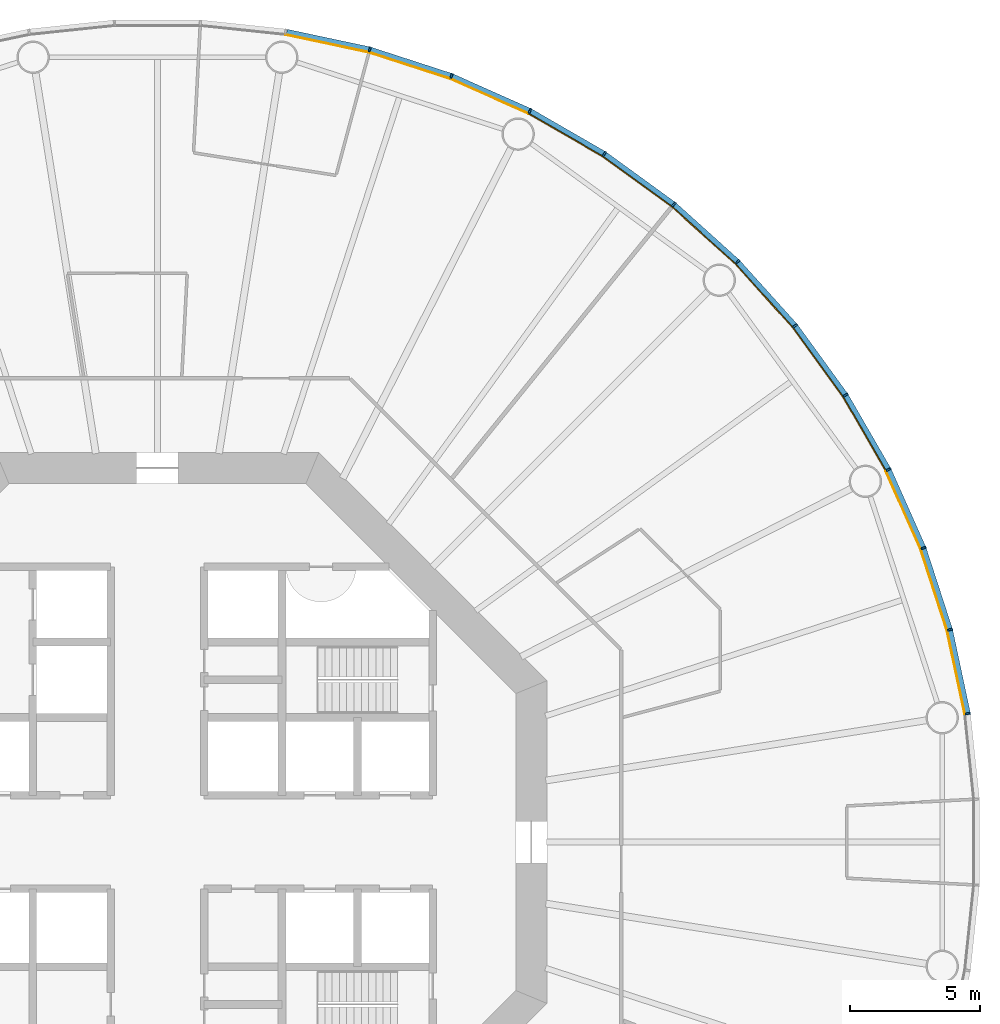
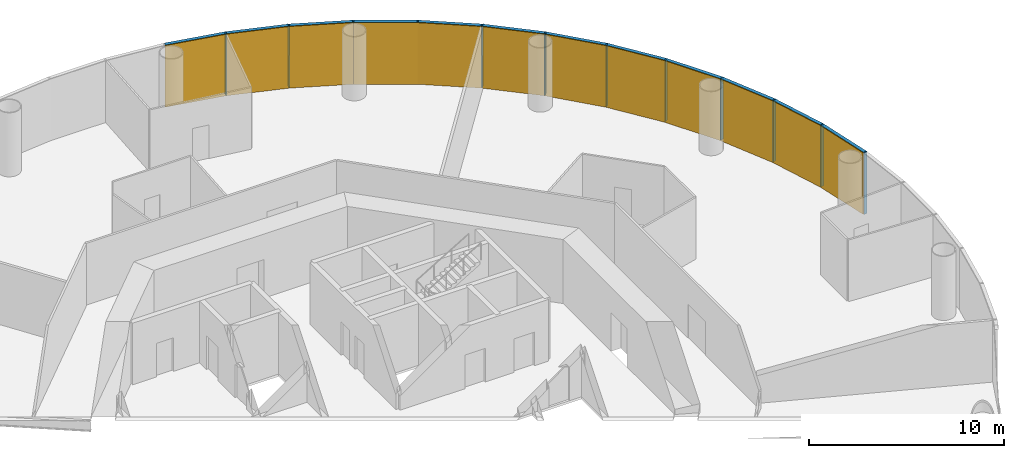
# One storey, part 12 of 13: 24 members, 4 curtain walls.
"""IFC4 building model written with IfcOpenShell, lengths in metres."""

from ifc_helpers import new_model, si_unit, direction, frame, origin, origin_2d, place, context, subcontext, project, spatial, polyline, rectangle, outline, extrude, material, layer, layer_set, material_profile, profile_set, type_object, element, aggregate, save


model = new_model("IFC4")

# Units and contexts
model_context = context("Model", 3, precision=1e-05, world=origin(), true_north=direction((0.0, 1.0)))
body_context = subcontext(model_context, "Body", "Model", "MODEL_VIEW")
ifc_project = project(units=[si_unit("LENGTHUNIT", "METRE"), si_unit("AREAUNIT", "SQUARE_METRE"), si_unit("VOLUMEUNIT", "CUBIC_METRE"), si_unit("PLANEANGLEUNIT", "RADIAN"), si_unit("MASSUNIT", "GRAM", prefix="KILO")], contexts=[model_context])

# Member
ifc_material_1 = material(Name="Anodised aluminium", Category="aluminium")
ifc_material_profile_1 = material_profile(ifc_material_1, rectangle(XDim=0.070068359375, YDim=0.199951171875, at=origin_2d()), Name="Mullion 70 x 200 mm anodised aluminium")
ifc_profile_set_1 = profile_set([ifc_material_profile_1], Name="Anodised aluminium")
member_type_1 = type_object("IfcMemberType", Name="Mullion 70 x 200 mm anodised aluminium", PredefinedType="MULLION", material=ifc_profile_set_1)
site_placement = place(None, origin())
building_placement = place(site_placement, origin())
storey_placement = place(building_placement, frame((0.0, 0.0, 124.0)))
member_1_placement = place(storey_placement, frame((121.2109375, 84.943359375, 0.0), z_axis=(0.0, 0.0, 1.0), x_axis=(-0.15643446504, 0.987688340595, 0.0)))
member_1 = element("IfcMember", 1, at=member_1_placement, type_object=member_type_1, Name="MULLION L28-00", PredefinedType="MULLION", context=body_context, shape_type="SweptSolid", body=[
    extrude(rectangle(XDim=0.070068359375, YDim=0.199951171875, at=origin_2d()), origin(), (0.0, 0.0, 1.0), 3.85009765625),
])

member_2_placement = place(storey_placement, frame((120.523193359375, 88.1787109375, 0.0), z_axis=(0.0, 0.0, 1.0), x_axis=(-0.258819045103, 0.965925826289, 0.0)))
member_2 = element("IfcMember", 2, at=member_2_placement, type_object=member_type_1, Name="MULLION L28-01", PredefinedType="MULLION", context=body_context, shape_type="SweptSolid", body=[
    extrude(rectangle(XDim=0.070068359375, YDim=0.199951171875, at=origin_2d()), origin(), (0.0, 0.0, 1.0), 3.85009765625),
])

member_3_placement = place(storey_placement, frame((119.501220703125, 91.324462890625, 0.0), z_axis=(0.0, 0.0, 1.0), x_axis=(-0.358367949545, 0.933580426497, 0.0)))
member_3 = element("IfcMember", 3, at=member_3_placement, type_object=member_type_1, Name="MULLION L28-02", PredefinedType="MULLION", context=body_context, shape_type="SweptSolid", body=[
    extrude(rectangle(XDim=0.070068359375, YDim=0.199951171875, at=origin_2d()), origin(), (0.0, 0.0, 1.0), 3.85009765625),
])

member_4_placement = place(storey_placement, frame((118.15576171875, 94.34619140625, 0.0), z_axis=(0.0, 0.0, 1.0), x_axis=(-0.45399049974, 0.891006524188, 0.0)))
member_4 = element("IfcMember", 4, at=member_4_placement, type_object=member_type_1, Name="MULLION L28-03", PredefinedType="MULLION", context=body_context, shape_type="SweptSolid", body=[
    extrude(rectangle(XDim=0.070068359375, YDim=0.199951171875, at=origin_2d()), origin(), (0.0, 0.0, 1.0), 3.85009765625),
])

member_5_placement = place(storey_placement, frame((116.501953125, 97.210693359375, 0.0), z_axis=(0.0, 0.0, 1.0), x_axis=(-0.544639035015, 0.838670567945, 0.0)))
member_5 = element("IfcMember", 5, at=member_5_placement, type_object=member_type_1, Name="MULLION L28-04", PredefinedType="MULLION", context=body_context, shape_type="SweptSolid", body=[
    extrude(rectangle(XDim=0.070068359375, YDim=0.199951171875, at=origin_2d()), origin(), (0.0, 0.0, 1.0), 3.85009765625),
])

member_6_placement = place(storey_placement, frame((114.557861328125, 99.886474609375, 0.0), z_axis=(0.0, 0.0, 1.0), x_axis=(-0.62932039105, 0.777145961457, 0.0)))
member_6 = element("IfcMember", 6, at=member_6_placement, type_object=member_type_1, Name="MULLION L28-05", PredefinedType="MULLION", context=body_context, shape_type="SweptSolid", body=[
    extrude(rectangle(XDim=0.070068359375, YDim=0.199951171875, at=origin_2d()), origin(), (0.0, 0.0, 1.0), 3.85009765625),
])

member_7_placement = place(storey_placement, frame((112.344482421875, 102.344482421875, 0.0), z_axis=(0.0, 0.0, 1.0), x_axis=(-0.707106781187, 0.707106781187, 0.0)))
member_7 = element("IfcMember", 7, at=member_7_placement, type_object=member_type_1, Name="MULLION L28-06", PredefinedType="MULLION", context=body_context, shape_type="SweptSolid", body=[
    extrude(rectangle(XDim=0.070068359375, YDim=0.199951171875, at=origin_2d()), origin(), (0.0, 0.0, 1.0), 3.85009765625),
])

member_8_placement = place(storey_placement, frame((109.886474609375, 104.557861328125, 0.0), z_axis=(0.0, 0.0, 1.0), x_axis=(-0.777145961457, 0.62932039105, 0.0)))
member_8 = element("IfcMember", 8, at=member_8_placement, type_object=member_type_1, Name="MULLION L28-07", PredefinedType="MULLION", context=body_context, shape_type="SweptSolid", body=[
    extrude(rectangle(XDim=0.070068359375, YDim=0.199951171875, at=origin_2d()), origin(), (0.0, 0.0, 1.0), 3.85009765625),
])

member_9_placement = place(storey_placement, frame((107.210693359375, 106.501953125, 0.0), z_axis=(0.0, 0.0, 1.0), x_axis=(-0.838670567945, 0.544639035015, 0.0)))
member_9 = element("IfcMember", 9, at=member_9_placement, type_object=member_type_1, Name="MULLION L28-08", PredefinedType="MULLION", context=body_context, shape_type="SweptSolid", body=[
    extrude(rectangle(XDim=0.070068359375, YDim=0.199951171875, at=origin_2d()), origin(), (0.0, 0.0, 1.0), 3.85009765625),
])

member_10_placement = place(storey_placement, frame((104.34619140625, 108.15576171875, 0.0), z_axis=(0.0, 0.0, 1.0), x_axis=(-0.891006524188, 0.45399049974, 0.0)))
member_10 = element("IfcMember", 10, at=member_10_placement, type_object=member_type_1, Name="MULLION L28-09", PredefinedType="MULLION", context=body_context, shape_type="SweptSolid", body=[
    extrude(rectangle(XDim=0.070068359375, YDim=0.199951171875, at=origin_2d()), origin(), (0.0, 0.0, 1.0), 3.85009765625),
])

member_11_placement = place(storey_placement, frame((101.324462890625, 109.501220703125, 0.0), z_axis=(0.0, 0.0, 1.0), x_axis=(-0.933580426497, 0.358367949545, 0.0)))
member_11 = element("IfcMember", 11, at=member_11_placement, type_object=member_type_1, Name="MULLION L28-10", PredefinedType="MULLION", context=body_context, shape_type="SweptSolid", body=[
    extrude(rectangle(XDim=0.070068359375, YDim=0.199951171875, at=origin_2d()), origin(), (0.0, 0.0, 1.0), 3.85009765625),
])

member_12_placement = place(storey_placement, frame((98.1787109375, 110.523193359375, 0.0), z_axis=(0.0, 0.0, 1.0), x_axis=(-0.965925826289, 0.258819045103, 0.0)))
member_12 = element("IfcMember", 12, at=member_12_placement, type_object=member_type_1, Name="MULLION L28-11", PredefinedType="MULLION", context=body_context, shape_type="SweptSolid", body=[
    extrude(rectangle(XDim=0.070068359375, YDim=0.199951171875, at=origin_2d()), origin(), (0.0, 0.0, 1.0), 3.85009765625),
])

ifc_material_2 = material(Name="Anodised aluminium", Category="aluminium")
ifc_material_profile_2 = material_profile(ifc_material_2, rectangle(XDim=0.199951171875, YDim=0.18994140625, at=origin_2d()), Name="Transom 190 x 200 mm anodised aluminium")
ifc_profile_set_2 = profile_set([ifc_material_profile_2], Name="Anodised aluminium")
member_type_2 = type_object("IfcMemberType", Name="Transom 190 x 200 mm anodised aluminium", PredefinedType="USERDEFINED", material=ifc_profile_set_2)
member_13_placement = place(storey_placement, frame((121.20263671875, 84.982666015625, 3.7548828125), z_axis=(-0.207885898771, 0.978153082647, 0.0), x_axis=(-0.978153082647, -0.207885898771, 0.0)))
member_13 = element("IfcMember", 13, at=member_13_placement, type_object=member_type_2, Name="TRANSOM L28-00", ObjectType="TRANSOM", PredefinedType="USERDEFINED", context=body_context, shape_type="SweptSolid", body=[
    extrude(rectangle(XDim=0.199951171875, YDim=0.18994140625, at=origin_2d()), origin(), (0.0, 0.0, 1.0), 3.227294921875),
])

member_14_placement = place(storey_placement, frame((120.510986328125, 88.217041015625, 3.7548828125), z_axis=(-0.309046726844, 0.951046855117, 0.0), x_axis=(-0.951046855117, -0.309046726844, 0.0)))
member_14 = element("IfcMember", 14, at=member_14_placement, type_object=member_type_2, Name="TRANSOM L28-01", ObjectType="TRANSOM", PredefinedType="USERDEFINED", context=body_context, shape_type="SweptSolid", body=[
    extrude(rectangle(XDim=0.199951171875, YDim=0.18994140625, at=origin_2d()), origin(), (0.0, 0.0, 1.0), 3.22705078125),
])

member_15_placement = place(storey_placement, frame((119.48486328125, 91.361328125, 3.7548828125), z_axis=(-0.406728032322, 0.913549291349, 0.0), x_axis=(-0.913549291349, -0.406728032322, 0.0)))
member_15 = element("IfcMember", 15, at=member_15_placement, type_object=member_type_2, Name="TRANSOM L28-02", ObjectType="TRANSOM", PredefinedType="USERDEFINED", context=body_context, shape_type="SweptSolid", body=[
    extrude(rectangle(XDim=0.199951171875, YDim=0.18994140625, at=origin_2d()), origin(), (0.0, 0.0, 1.0), 3.22705078125),
])

member_16_placement = place(storey_placement, frame((118.1357421875, 94.381103515625, 3.7548828125), z_axis=(-0.500004055213, 0.866023062494, 0.0), x_axis=(-0.866023062494, -0.500004055213, 0.0)))
member_16 = element("IfcMember", 16, at=member_16_placement, type_object=member_type_2, Name="TRANSOM L28-03", ObjectType="TRANSOM", PredefinedType="USERDEFINED", context=body_context, shape_type="SweptSolid", body=[
    extrude(rectangle(XDim=0.199951171875, YDim=0.18994140625, at=origin_2d()), origin(), (0.0, 0.0, 1.0), 3.22705078125),
])

member_17_placement = place(storey_placement, frame((116.478515625, 97.2431640625, 3.7548828125), z_axis=(-0.587802790201, 0.809004252048, 0.0), x_axis=(-0.809004252048, -0.587802790201, 0.0)))
member_17 = element("IfcMember", 17, at=member_17_placement, type_object=member_type_2, Name="TRANSOM L28-04", ObjectType="TRANSOM", PredefinedType="USERDEFINED", context=body_context, shape_type="SweptSolid", body=[
    extrude(rectangle(XDim=0.199951171875, YDim=0.18994140625, at=origin_2d()), origin(), (0.0, 0.0, 1.0), 3.227294921875),
])

member_18_placement = place(storey_placement, frame((114.531005859375, 99.91650390625, 3.7548828125), z_axis=(-0.669144438484, 0.743132370743, 0.0), x_axis=(-0.743132370743, -0.669144438484, 0.0)))
member_18 = element("IfcMember", 18, at=member_18_placement, type_object=member_type_2, Name="TRANSOM L28-05", ObjectType="TRANSOM", PredefinedType="USERDEFINED", context=body_context, shape_type="SweptSolid", body=[
    extrude(rectangle(XDim=0.199951171875, YDim=0.18994140625, at=origin_2d()), origin(), (0.0, 0.0, 1.0), 3.22705078125),
])

member_19_placement = place(storey_placement, frame((112.314697265625, 102.37158203125, 3.7548828125), z_axis=(-0.743132370743, 0.669144438484, 0.0), x_axis=(-0.669144438484, -0.743132370743, 0.0)))
member_19 = element("IfcMember", 19, at=member_19_placement, type_object=member_type_2, Name="TRANSOM L28-06", ObjectType="TRANSOM", PredefinedType="USERDEFINED", context=body_context, shape_type="SweptSolid", body=[
    extrude(rectangle(XDim=0.199951171875, YDim=0.18994140625, at=origin_2d()), origin(), (0.0, 0.0, 1.0), 3.22705078125),
])

member_20_placement = place(storey_placement, frame((109.85400390625, 104.58154296875, 3.7548828125), z_axis=(-0.809004252048, 0.587802790201, 0.0), x_axis=(-0.587802790201, -0.809004252048, 0.0)))
member_20 = element("IfcMember", 20, at=member_20_placement, type_object=member_type_2, Name="TRANSOM L28-07", ObjectType="TRANSOM", PredefinedType="USERDEFINED", context=body_context, shape_type="SweptSolid", body=[
    extrude(rectangle(XDim=0.199951171875, YDim=0.18994140625, at=origin_2d()), origin(), (0.0, 0.0, 1.0), 3.227294921875),
])

member_21_placement = place(storey_placement, frame((107.17578125, 106.522216796875, 3.7548828125), z_axis=(-0.866023062494, 0.500004055213, 0.0), x_axis=(-0.500004055213, -0.866023062494, 0.0)))
member_21 = element("IfcMember", 21, at=member_21_placement, type_object=member_type_2, Name="TRANSOM L28-08", ObjectType="TRANSOM", PredefinedType="USERDEFINED", context=body_context, shape_type="SweptSolid", body=[
    extrude(rectangle(XDim=0.199951171875, YDim=0.18994140625, at=origin_2d()), origin(), (0.0, 0.0, 1.0), 3.22705078125),
])

member_22_placement = place(storey_placement, frame((104.309326171875, 108.17236328125, 3.7548828125), z_axis=(-0.913549291349, 0.406728032322, 0.0), x_axis=(-0.406728032322, -0.913549291349, 0.0)))
member_22 = element("IfcMember", 22, at=member_22_placement, type_object=member_type_2, Name="TRANSOM L28-09", ObjectType="TRANSOM", PredefinedType="USERDEFINED", context=body_context, shape_type="SweptSolid", body=[
    extrude(rectangle(XDim=0.199951171875, YDim=0.18994140625, at=origin_2d()), origin(), (0.0, 0.0, 1.0), 3.22705078125),
])

member_23_placement = place(storey_placement, frame((101.2861328125, 109.513671875, 3.7548828125), z_axis=(-0.951046855117, 0.309046726844, 0.0), x_axis=(-0.309046726844, -0.951046855117, 0.0)))
member_23 = element("IfcMember", 23, at=member_23_placement, type_object=member_type_2, Name="TRANSOM L28-10", ObjectType="TRANSOM", PredefinedType="USERDEFINED", context=body_context, shape_type="SweptSolid", body=[
    extrude(rectangle(XDim=0.199951171875, YDim=0.18994140625, at=origin_2d()), origin(), (0.0, 0.0, 1.0), 3.22705078125),
])

member_24_placement = place(storey_placement, frame((98.139404296875, 110.53173828125, 3.7548828125), z_axis=(-0.978153082647, 0.207885898771, 0.0), x_axis=(-0.207885898771, -0.978153082647, 0.0)))
member_24 = element("IfcMember", 24, at=member_24_placement, type_object=member_type_2, Name="TRANSOM L28-11", ObjectType="TRANSOM", PredefinedType="USERDEFINED", context=body_context, shape_type="SweptSolid", body=[
    extrude(rectangle(XDim=0.199951171875, YDim=0.18994140625, at=origin_2d()), origin(), (0.0, 0.0, 1.0), 3.227294921875),
])

# Site, building, storey
site = spatial("IfcSite", under=ifc_project, at=site_placement, CompositionType="ELEMENT")
building = spatial("IfcBuilding", under=site, at=building_placement, Name="Entoto Ring Tower", CompositionType="ELEMENT")
storey = spatial("IfcBuildingStorey", under=building, at=storey_placement, Name="L28", CompositionType="ELEMENT", Elevation=124.0)

# Curtain wall
ifc_material_3 = material(Name="Clear low-iron glass", Category="glass")
ifc_layer = layer(ifc_material_3, 0.035888671875)
ifc_layer_set = layer_set([ifc_layer], Name="Clear low-iron glass")
curtain_wall_type = type_object("IfcCurtainWallType", Name="Curtain wall system CW2 glazing 36 mm", PredefinedType="NOTDEFINED", material=ifc_layer_set)
curtain_wall_1_placement = place(storey_placement, origin())
curtain_wall_1 = element("IfcCurtainWall", 25, at=curtain_wall_1_placement, inside=storey, type_object=curtain_wall_type, Name="CW2 L28-01", PredefinedType="NOTDEFINED", context=body_context, shape_type="SweptSolid", body=[
    extrude(outline(polyline([(121.1123046875, 84.927734375), (120.4267578125, 88.15283203125), (119.40771484375, 91.28857421875), (118.066650390625, 94.30078125), (118.03466796875, 94.284423828125), (119.3740234375, 91.275634765625), (120.391845703125, 88.1435546875), (121.07666015625, 84.922119140625), (121.1123046875, 84.927734375)])), origin(), (0.0, 0.0, 1.0), 3.85009765625),
])

aggregate(curtain_wall_1, [member_1, member_2, member_3, member_13, member_14, member_15])

curtain_wall_2_placement = place(storey_placement, origin())
curtain_wall_2 = element("IfcCurtainWall", 26, at=curtain_wall_2_placement, inside=storey, type_object=curtain_wall_type, Name="CW2 L28-02", PredefinedType="NOTDEFINED", context=body_context, shape_type="SweptSolid", body=[
    extrude(outline(polyline([(118.066650390625, 94.30078125), (116.418212890625, 97.15625), (114.47998046875, 99.823486328125), (112.27392578125, 102.27392578125), (112.248291015625, 102.248291015625), (114.4521484375, 99.801025390625), (116.387939453125, 97.136474609375), (118.03466796875, 94.284423828125), (118.066650390625, 94.30078125)])), origin(), (0.0, 0.0, 1.0), 3.85009765625),
])

aggregate(curtain_wall_2, [member_4, member_5, member_6, member_16, member_17, member_18])

curtain_wall_3_placement = place(storey_placement, origin())
curtain_wall_3 = element("IfcCurtainWall", 27, at=curtain_wall_3_placement, inside=storey, type_object=curtain_wall_type, Name="CW2 L28-03", PredefinedType="NOTDEFINED", context=body_context, shape_type="SweptSolid", body=[
    extrude(outline(polyline([(112.27392578125, 102.27392578125), (109.823486328125, 104.47998046875), (107.15625, 106.418212890625), (104.30078125, 108.066650390625), (104.284423828125, 108.03466796875), (107.136474609375, 106.387939453125), (109.801025390625, 104.4521484375), (112.248291015625, 102.248291015625), (112.27392578125, 102.27392578125)])), origin(), (0.0, 0.0, 1.0), 3.85009765625),
])

aggregate(curtain_wall_3, [member_7, member_8, member_9, member_19, member_20, member_21])

curtain_wall_4_placement = place(storey_placement, origin())
curtain_wall_4 = element("IfcCurtainWall", 28, at=curtain_wall_4_placement, inside=storey, type_object=curtain_wall_type, Name="CW2 L28-04", PredefinedType="NOTDEFINED", context=body_context, shape_type="SweptSolid", body=[
    extrude(outline(polyline([(104.30078125, 108.066650390625), (101.28857421875, 109.40771484375), (98.15283203125, 110.4267578125), (94.927734375, 111.1123046875), (94.922119140625, 111.07666015625), (98.1435546875, 110.391845703125), (101.275634765625, 109.3740234375), (104.284423828125, 108.03466796875), (104.30078125, 108.066650390625)])), origin(), (0.0, 0.0, 1.0), 3.85009765625),
])

aggregate(curtain_wall_4, [member_10, member_11, member_12, member_22, member_23, member_24])

save(model, "model.ifc")
